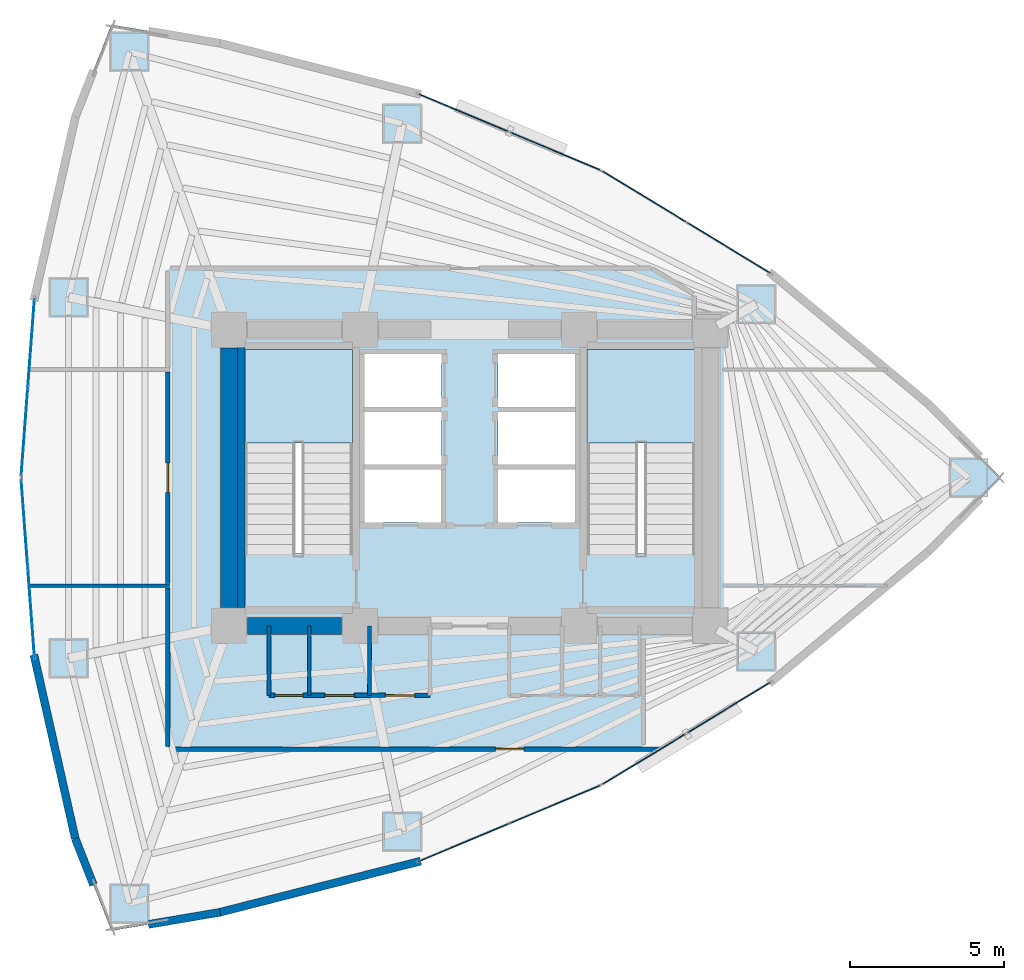
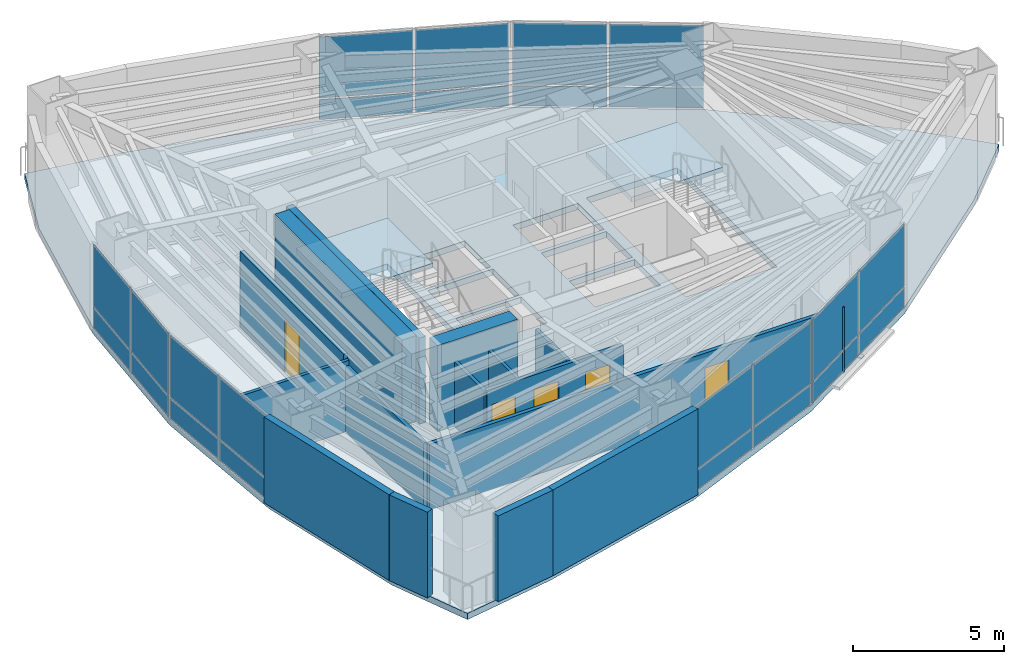
# One storey, part 14 of 18: 24 plates, 15 walls, 5 doors, 3 slabs, 5 openings, 8 elements without a shape of their own.
"""IFC4 building model written with IfcOpenShell, lengths in metres."""

from ifc_helpers import new_model, si_unit, direction, frame, frame_2d, origin, origin_2d, place, context, subcontext, project, spatial, polyline, rectangle, outline, extrude, material, layer, layer_set, type_object, element, fill, aggregate, save


model = new_model("IFC4")

# Units and contexts
model_context = context("Model", 3, precision=1e-05, world=origin(), true_north=direction((0.0, 1.0)))
body_context = subcontext(model_context, "Body", "Model", "MODEL_VIEW")
ifc_project = project(units=[si_unit("LENGTHUNIT", "METRE"), si_unit("AREAUNIT", "SQUARE_METRE"), si_unit("VOLUMEUNIT", "CUBIC_METRE"), si_unit("PLANEANGLEUNIT", "RADIAN"), si_unit("MASSUNIT", "GRAM", prefix="KILO")], contexts=[model_context])

# Site, building, storey
site_placement = place(None, origin())
site = spatial("IfcSite", under=ifc_project, at=site_placement, CompositionType="ELEMENT")
building_placement = place(site_placement, origin())
building = spatial("IfcBuilding", under=site, at=building_placement, Name="Menara Vayukalpa", CompositionType="ELEMENT")
storey_placement = place(building_placement, frame((0.0, 0.0, 89.10009765625)))
storey = spatial("IfcBuildingStorey", under=building, at=storey_placement, Name="L21", CompositionType="ELEMENT", Elevation=89.10009765625)

# Curtain wall, plates
ifc_material_1 = material(Name="Anodised Terracotta Aluminium Alloy 6063-T6", Category="masonry")
ifc_layer_1 = layer(ifc_material_1, 0.14990234375)
ifc_layer_set_1 = layer_set([ifc_layer_1], Name="Anodised Terracotta Aluminium Alloy 6063-T6")
curtain_wall_type = type_object("IfcCurtainWallType", Name="CW-CW3", PredefinedType="USERDEFINED", material=ifc_layer_set_1)
curtain_wall_1_placement = place(storey_placement, origin())
curtain_wall_1 = element("IfcCurtainWall", 1, at=curtain_wall_1_placement, inside=storey, type_object=curtain_wall_type, Name="L21 Mid Rise Terracotta Ribbon Curtain Wall CW3 04", ObjectType="UNITISED", PredefinedType="USERDEFINED")
ifc_material_2 = material(Name="Low-E Double Glazing", Category="glass")
ifc_layer_2 = layer(ifc_material_2, 0.030029296875)
ifc_layer_set_2 = layer_set([ifc_layer_2], Name="Low-E Double Glazing")
plate_type = type_object("IfcPlateType", Name="CWP-CW3", PredefinedType="CURTAIN_PANEL", material=ifc_layer_set_2)
plate_1_placement = place(storey_placement, frame((33.9921875, 29.44873046875, 0.06494140625), z_axis=(0.0, 0.0, 1.0), x_axis=(-0.854663123674, 0.519182959112, 0.0)))
plate_1 = element("IfcPlate", 2, at=plate_1_placement, type_object=plate_type, Name="CW3 panel 1.1", PredefinedType="CURTAIN_PANEL", context=body_context, shape_type="SweptSolid", body=[
    extrude(rectangle(XDim=3.1318359375, YDim=0.030029296875, at=origin_2d()), origin(), (0.0, 0.0, 1.0), 0.802490234375),
])
plate_2_placement = place(storey_placement, frame((33.9921875, 29.44873046875, 0.9326171875), z_axis=(0.0, 0.0, 1.0), x_axis=(-0.854663123674, 0.519182959112, 0.0)))
plate_2 = element("IfcPlate", 3, at=plate_2_placement, type_object=plate_type, Name="CW3 panel 1.2", PredefinedType="CURTAIN_PANEL", context=body_context, shape_type="SweptSolid", body=[
    extrude(rectangle(XDim=3.1318359375, YDim=0.030029296875, at=origin_2d()), origin(), (0.0, 0.0, 1.0), 2.472412109375),
])
plate_3_placement = place(storey_placement, frame((31.259765625, 31.1083984375, 0.06494140625), z_axis=(0.0, 0.0, 1.0), x_axis=(-0.854663123674, 0.519182959112, 0.0)))
plate_3 = element("IfcPlate", 4, at=plate_3_placement, type_object=plate_type, Name="CW3 panel 2.1", PredefinedType="CURTAIN_PANEL", context=body_context, shape_type="SweptSolid", body=[
    extrude(rectangle(XDim=3.1318359375, YDim=0.030029296875, at=origin_2d()), origin(), (0.0, 0.0, 1.0), 0.802490234375),
])
plate_4_placement = place(storey_placement, frame((31.259765625, 31.1083984375, 0.9326171875), z_axis=(0.0, 0.0, 1.0), x_axis=(-0.854663123674, 0.519182959112, 0.0)))
plate_4 = element("IfcPlate", 5, at=plate_4_placement, type_object=plate_type, Name="CW3 panel 2.2", PredefinedType="CURTAIN_PANEL", context=body_context, shape_type="SweptSolid", body=[
    extrude(rectangle(XDim=3.1318359375, YDim=0.030029296875, at=origin_2d()), origin(), (0.0, 0.0, 1.0), 2.472412109375),
])
aggregate(curtain_wall_1, [plate_1, plate_2, plate_3, plate_4])

curtain_wall_2_placement = place(storey_placement, origin())
curtain_wall_2 = element("IfcCurtainWall", 6, at=curtain_wall_2_placement, inside=storey, type_object=curtain_wall_type, Name="L21 Mid Rise Terracotta Ribbon Curtain Wall CW3 05", ObjectType="UNITISED", PredefinedType="USERDEFINED")
plate_5_placement = place(storey_placement, frame((28.361328125, 32.58447265625, 0.06494140625), z_axis=(0.0, 0.0, 1.0), x_axis=(-0.922543300632, 0.38589358437, 0.0)))
plate_5 = element("IfcPlate", 7, at=plate_5_placement, type_object=plate_type, Name="CW3 panel 1.1", PredefinedType="CURTAIN_PANEL", context=body_context, shape_type="SweptSolid", body=[
    extrude(rectangle(XDim=3.1318359375, YDim=0.030029296875, at=origin_2d()), origin(), (0.0, 0.0, 1.0), 0.802490234375),
])
plate_6_placement = place(storey_placement, frame((28.361328125, 32.58447265625, 0.9326171875), z_axis=(0.0, 0.0, 1.0), x_axis=(-0.922543300632, 0.38589358437, 0.0)))
plate_6 = element("IfcPlate", 8, at=plate_6_placement, type_object=plate_type, Name="CW3 panel 1.2", PredefinedType="CURTAIN_PANEL", context=body_context, shape_type="SweptSolid", body=[
    extrude(rectangle(XDim=3.1318359375, YDim=0.030029296875, at=origin_2d()), origin(), (0.0, 0.0, 1.0), 2.472412109375),
])
plate_7_placement = place(storey_placement, frame((25.412109375, 33.818115234375, 0.06494140625), z_axis=(0.0, 0.0, 1.0), x_axis=(-0.922543300632, 0.38589358437, 0.0)))
plate_7 = element("IfcPlate", 9, at=plate_7_placement, type_object=plate_type, Name="CW3 panel 2.1", PredefinedType="CURTAIN_PANEL", context=body_context, shape_type="SweptSolid", body=[
    extrude(rectangle(XDim=3.1318359375, YDim=0.030029296875, at=origin_2d()), origin(), (0.0, 0.0, 1.0), 0.802490234375),
])
plate_8_placement = place(storey_placement, frame((25.412109375, 33.818115234375, 0.9326171875), z_axis=(0.0, 0.0, 1.0), x_axis=(-0.922543300632, 0.38589358437, 0.0)))
plate_8 = element("IfcPlate", 10, at=plate_8_placement, type_object=plate_type, Name="CW3 panel 2.2", PredefinedType="CURTAIN_PANEL", context=body_context, shape_type="SweptSolid", body=[
    extrude(rectangle(XDim=3.1318359375, YDim=0.030029296875, at=origin_2d()), origin(), (0.0, 0.0, 1.0), 2.472412109375),
])
aggregate(curtain_wall_2, [plate_5, plate_6, plate_7, plate_8])

curtain_wall_3_placement = place(storey_placement, origin())
curtain_wall_3 = element("IfcCurtainWall", 11, at=curtain_wall_3_placement, inside=storey, type_object=curtain_wall_type, Name="L21 Mid Rise Terracotta Ribbon Curtain Wall CW3 10", ObjectType="UNITISED", PredefinedType="USERDEFINED")
plate_9_placement = place(storey_placement, frame((11.395751953125, 26.3681640625, 0.06494140625), z_axis=(0.0, 0.0, 1.0), x_axis=(-0.07478528334, -0.997199659745, 0.0)))
plate_9 = element("IfcPlate", 12, at=plate_9_placement, type_object=plate_type, Name="CW3 panel 1.1", PredefinedType="CURTAIN_PANEL", context=body_context, shape_type="SweptSolid", body=[
    extrude(rectangle(XDim=2.83349609375, YDim=0.030029296875, at=origin_2d()), origin(), (0.0, 0.0, 1.0), 0.802490234375),
])
plate_10_placement = place(storey_placement, frame((11.395751953125, 26.3681640625, 0.9326171875), z_axis=(0.0, 0.0, 1.0), x_axis=(-0.07478528334, -0.997199659745, 0.0)))
plate_10 = element("IfcPlate", 13, at=plate_10_placement, type_object=plate_type, Name="CW3 panel 1.2", PredefinedType="CURTAIN_PANEL", context=body_context, shape_type="SweptSolid", body=[
    extrude(rectangle(XDim=2.83349609375, YDim=0.030029296875, at=origin_2d()), origin(), (0.0, 0.0, 1.0), 2.472412109375),
])
plate_11_placement = place(storey_placement, frame((11.178955078125, 23.4775390625, 0.06494140625), z_axis=(0.0, 0.0, 1.0), x_axis=(-0.07478528334, -0.997199659745, 0.0)))
plate_11 = element("IfcPlate", 14, at=plate_11_placement, type_object=plate_type, Name="CW3 panel 2.1", PredefinedType="CURTAIN_PANEL", context=body_context, shape_type="SweptSolid", body=[
    extrude(rectangle(XDim=2.83349609375, YDim=0.030029296875, at=origin_2d()), origin(), (0.0, 0.0, 1.0), 0.802490234375),
])
plate_12_placement = place(storey_placement, frame((11.178955078125, 23.4775390625, 0.9326171875), z_axis=(0.0, 0.0, 1.0), x_axis=(-0.07478528334, -0.997199659745, 0.0)))
plate_12 = element("IfcPlate", 15, at=plate_12_placement, type_object=plate_type, Name="CW3 panel 2.2", PredefinedType="CURTAIN_PANEL", context=body_context, shape_type="SweptSolid", body=[
    extrude(rectangle(XDim=2.83349609375, YDim=0.030029296875, at=origin_2d()), origin(), (0.0, 0.0, 1.0), 2.472412109375),
])
aggregate(curtain_wall_3, [plate_9, plate_10, plate_11, plate_12])

curtain_wall_4_placement = place(storey_placement, origin())
curtain_wall_4 = element("IfcCurtainWall", 16, at=curtain_wall_4_placement, inside=storey, type_object=curtain_wall_type, Name="L21 Mid Rise Terracotta Ribbon Curtain Wall CW3 11", ObjectType="UNITISED", PredefinedType="USERDEFINED")
plate_13_placement = place(storey_placement, frame((11.178955078125, 20.5224609375, 0.06494140625), z_axis=(0.0, 0.0, 1.0), x_axis=(0.07478528334, -0.997199659745, 0.0)))
plate_13 = element("IfcPlate", 17, at=plate_13_placement, type_object=plate_type, Name="CW3 panel 1.1", PredefinedType="CURTAIN_PANEL", context=body_context, shape_type="SweptSolid", body=[
    extrude(rectangle(XDim=2.83349609375, YDim=0.030029296875, at=origin_2d()), origin(), (0.0, 0.0, 1.0), 0.802490234375),
])
plate_14_placement = place(storey_placement, frame((11.178955078125, 20.5224609375, 0.9326171875), z_axis=(0.0, 0.0, 1.0), x_axis=(0.07478528334, -0.997199659745, 0.0)))
plate_14 = element("IfcPlate", 18, at=plate_14_placement, type_object=plate_type, Name="CW3 panel 1.2", PredefinedType="CURTAIN_PANEL", context=body_context, shape_type="SweptSolid", body=[
    extrude(rectangle(XDim=2.83349609375, YDim=0.030029296875, at=origin_2d()), origin(), (0.0, 0.0, 1.0), 2.472412109375),
])
plate_15_placement = place(storey_placement, frame((11.395751953125, 17.6318359375, 0.06494140625), z_axis=(0.0, 0.0, 1.0), x_axis=(0.07478528334, -0.997199659745, 0.0)))
plate_15 = element("IfcPlate", 19, at=plate_15_placement, type_object=plate_type, Name="CW3 panel 2.1", PredefinedType="CURTAIN_PANEL", context=body_context, shape_type="SweptSolid", body=[
    extrude(rectangle(XDim=2.83349609375, YDim=0.030029296875, at=origin_2d()), origin(), (0.0, 0.0, 1.0), 0.802490234375),
])
plate_16_placement = place(storey_placement, frame((11.395751953125, 17.6318359375, 0.9326171875), z_axis=(0.0, 0.0, 1.0), x_axis=(0.07478528334, -0.997199659745, 0.0)))
plate_16 = element("IfcPlate", 20, at=plate_16_placement, type_object=plate_type, Name="CW3 panel 2.2", PredefinedType="CURTAIN_PANEL", context=body_context, shape_type="SweptSolid", body=[
    extrude(rectangle(XDim=2.83349609375, YDim=0.030029296875, at=origin_2d()), origin(), (0.0, 0.0, 1.0), 2.472412109375),
])
aggregate(curtain_wall_4, [plate_13, plate_14, plate_15, plate_16])

curtain_wall_5_placement = place(storey_placement, origin())
curtain_wall_5 = element("IfcCurtainWall", 21, at=curtain_wall_5_placement, inside=storey, type_object=curtain_wall_type, Name="L21 Mid Rise Terracotta Ribbon Curtain Wall CW3 16", ObjectType="UNITISED", PredefinedType="USERDEFINED")
plate_17_placement = place(storey_placement, frame((25.412109375, 10.181884765625, 0.06494140625), z_axis=(0.0, 0.0, 1.0), x_axis=(0.922543300632, 0.38589358437, 0.0)))
plate_17 = element("IfcPlate", 22, at=plate_17_placement, type_object=plate_type, Name="CW3 panel 1.1", PredefinedType="CURTAIN_PANEL", context=body_context, shape_type="SweptSolid", body=[
    extrude(rectangle(XDim=3.1318359375, YDim=0.030029296875, at=origin_2d()), origin(), (0.0, 0.0, 1.0), 0.802490234375),
])
plate_18_placement = place(storey_placement, frame((25.412109375, 10.181884765625, 0.9326171875), z_axis=(0.0, 0.0, 1.0), x_axis=(0.922543300632, 0.38589358437, 0.0)))
plate_18 = element("IfcPlate", 23, at=plate_18_placement, type_object=plate_type, Name="CW3 panel 1.2", PredefinedType="CURTAIN_PANEL", context=body_context, shape_type="SweptSolid", body=[
    extrude(rectangle(XDim=3.1318359375, YDim=0.030029296875, at=origin_2d()), origin(), (0.0, 0.0, 1.0), 2.472412109375),
])
plate_19_placement = place(storey_placement, frame((28.361328125, 11.41552734375, 0.06494140625), z_axis=(0.0, 0.0, 1.0), x_axis=(0.922543300632, 0.38589358437, 0.0)))
plate_19 = element("IfcPlate", 24, at=plate_19_placement, type_object=plate_type, Name="CW3 panel 2.1", PredefinedType="CURTAIN_PANEL", context=body_context, shape_type="SweptSolid", body=[
    extrude(rectangle(XDim=3.1318359375, YDim=0.030029296875, at=origin_2d()), origin(), (0.0, 0.0, 1.0), 0.802490234375),
])
plate_20_placement = place(storey_placement, frame((28.361328125, 11.41552734375, 0.9326171875), z_axis=(0.0, 0.0, 1.0), x_axis=(0.922543300632, 0.38589358437, 0.0)))
plate_20 = element("IfcPlate", 25, at=plate_20_placement, type_object=plate_type, Name="CW3 panel 2.2", PredefinedType="CURTAIN_PANEL", context=body_context, shape_type="SweptSolid", body=[
    extrude(rectangle(XDim=3.1318359375, YDim=0.030029296875, at=origin_2d()), origin(), (0.0, 0.0, 1.0), 2.472412109375),
])
aggregate(curtain_wall_5, [plate_17, plate_18, plate_19, plate_20])

curtain_wall_6_placement = place(storey_placement, origin())
curtain_wall_6 = element("IfcCurtainWall", 26, at=curtain_wall_6_placement, inside=storey, type_object=curtain_wall_type, Name="L21 Mid Rise Terracotta Ribbon Curtain Wall CW3 17", ObjectType="UNITISED", PredefinedType="USERDEFINED")
plate_21_placement = place(storey_placement, frame((31.259765625, 12.8916015625, 0.06494140625), z_axis=(0.0, 0.0, 1.0), x_axis=(0.854663123674, 0.519182959112, 0.0)))
plate_21 = element("IfcPlate", 27, at=plate_21_placement, type_object=plate_type, Name="CW3 panel 1.1", PredefinedType="CURTAIN_PANEL", context=body_context, shape_type="SweptSolid", body=[
    extrude(rectangle(XDim=3.1318359375, YDim=0.030029296875, at=origin_2d()), origin(), (0.0, 0.0, 1.0), 0.802490234375),
])
plate_22_placement = place(storey_placement, frame((31.259765625, 12.8916015625, 0.9326171875), z_axis=(0.0, 0.0, 1.0), x_axis=(0.854663123674, 0.519182959112, 0.0)))
plate_22 = element("IfcPlate", 28, at=plate_22_placement, type_object=plate_type, Name="CW3 panel 1.2", PredefinedType="CURTAIN_PANEL", context=body_context, shape_type="SweptSolid", body=[
    extrude(rectangle(XDim=3.1318359375, YDim=0.030029296875, at=origin_2d()), origin(), (0.0, 0.0, 1.0), 2.472412109375),
])
plate_23_placement = place(storey_placement, frame((33.9921875, 14.55126953125, 0.06494140625), z_axis=(0.0, 0.0, 1.0), x_axis=(0.854663123674, 0.519182959112, 0.0)))
plate_23 = element("IfcPlate", 29, at=plate_23_placement, type_object=plate_type, Name="CW3 panel 2.1", PredefinedType="CURTAIN_PANEL", context=body_context, shape_type="SweptSolid", body=[
    extrude(rectangle(XDim=3.1318359375, YDim=0.030029296875, at=origin_2d()), origin(), (0.0, 0.0, 1.0), 0.802490234375),
])
plate_24_placement = place(storey_placement, frame((33.9921875, 14.55126953125, 0.9326171875), z_axis=(0.0, 0.0, 1.0), x_axis=(0.854663123674, 0.519182959112, 0.0)))
plate_24 = element("IfcPlate", 30, at=plate_24_placement, type_object=plate_type, Name="CW3 panel 2.2", PredefinedType="CURTAIN_PANEL", context=body_context, shape_type="SweptSolid", body=[
    extrude(rectangle(XDim=3.1318359375, YDim=0.030029296875, at=origin_2d()), origin(), (0.0, 0.0, 1.0), 2.472412109375),
])
aggregate(curtain_wall_6, [plate_21, plate_22, plate_23, plate_24])

# Slab
ifc_material_3 = material(Name="Concrete C40/50", Category="concrete")
ifc_layer_3 = layer(ifc_material_3, 0.25)
ifc_layer_set_3 = layer_set([ifc_layer_3], Name="Concrete C40/50")
slab_type_1 = type_object("IfcSlabType", Name="SLB-FL250", PredefinedType="FLOOR", material=ifc_layer_set_3)
slab_1_placement = place(storey_placement, frame((0.0, 0.0, -0.25)))
element("IfcSlab", 31, at=slab_1_placement, inside=storey, type_object=slab_type_1, Name="L21 Structural Floor Slab", PredefinedType="FLOOR", context=body_context, shape_type="SweptSolid", body=[
    extrude(outline(polyline([(40.4677734375, 19.6123046875), (42.81201171875, 22.0), (40.4677734375, 24.3876953125), (35.385986328125, 28.601806640625), (29.865966796875, 31.955078125), (23.907470703125, 34.447509765625), (17.510498046875, 36.0791015625), (13.993896484375, 36.676025390625), (12.822021484375, 33.69140625), (11.506591796875, 27.845703125), (11.068115234375, 22.0), (11.506591796875, 16.154296875), (12.822021484375, 10.30859375), (13.993896484375, 7.323974609375), (17.510498046875, 7.9208984375), (23.907470703125, 9.552490234375), (29.865966796875, 12.044921875), (35.385986328125, 15.398193359375), (40.4677734375, 19.6123046875)]), holes=[polyline([(21.800048828125, 19.550048828125), (21.800048828125, 26.14990234375), (18.300048828125, 26.14990234375), (18.300048828125, 19.550048828125), (21.800048828125, 19.550048828125)]), polyline([(32.89990234375, 19.550048828125), (32.89990234375, 26.14990234375), (29.39990234375, 26.14990234375), (29.39990234375, 19.550048828125), (32.89990234375, 19.550048828125)]), polyline([(22.179931640625, 20.550048828125), (24.679931640625, 20.550048828125), (24.679931640625, 22.27001953125), (22.179931640625, 22.27001953125), (22.179931640625, 20.550048828125)]), polyline([(26.52001953125, 20.550048828125), (29.02001953125, 20.550048828125), (29.02001953125, 22.27001953125), (26.52001953125, 22.27001953125), (26.52001953125, 20.550048828125)]), polyline([(22.179931640625, 22.419921875), (24.679931640625, 22.419921875), (24.679931640625, 24.139892578125), (22.179931640625, 24.139892578125), (22.179931640625, 22.419921875)]), polyline([(22.179931640625, 24.2900390625), (24.679931640625, 24.2900390625), (24.679931640625, 26.010009765625), (22.179931640625, 26.010009765625), (22.179931640625, 24.2900390625)]), polyline([(26.52001953125, 24.2900390625), (29.02001953125, 24.2900390625), (29.02001953125, 26.010009765625), (26.52001953125, 26.010009765625), (26.52001953125, 24.2900390625)]), polyline([(26.52001953125, 22.419921875), (29.02001953125, 22.419921875), (29.02001953125, 24.139892578125), (26.52001953125, 24.139892578125), (26.52001953125, 22.419921875)])]), origin(), (0.0, 0.0, 1.0), 0.25),
])

# Stair, slab
ifc_material_4 = material(Name="Precast Concrete C40/50", Category="concrete")
stair_type = type_object("IfcStairType", Name="STR-T04", PredefinedType="DOUBLE_RETURN_STAIR", material=ifc_material_4)
stair_1_placement = place(storey_placement, origin())
stair_1 = element("IfcStair", 32, at=stair_1_placement, inside=storey, type_object=stair_type, Name="L21 Core Exit Stair ST-1", PredefinedType="DOUBLE_RETURN_STAIR")
ifc_material_5 = material(Name="Precast Concrete C40/50", Category="concrete")
ifc_layer_4 = layer(ifc_material_5, 0.199951171875)
ifc_layer_set_4 = layer_set([ifc_layer_4], Name="Precast Concrete C40/50")
slab_type_2 = type_object("IfcSlabType", Name="SLB-LND200", PredefinedType="LANDING", material=ifc_layer_set_4)
slab_2_placement = place(storey_placement, frame((0.0, 0.0, 1.659912109375)))
slab_2 = element("IfcSlab", 33, at=slab_2_placement, type_object=slab_type_2, Name="ST-1 landing 1", PredefinedType="LANDING", context=body_context, shape_type="SweptSolid", body=[
    extrude(outline(polyline([(21.800048828125, 23.1298828125), (21.800048828125, 26.14990234375), (18.300048828125, 26.14990234375), (18.300048828125, 23.1298828125), (21.800048828125, 23.1298828125)])), origin(), (0.0, 0.0, 1.0), 0.199951171875),
])
aggregate(stair_1, [slab_2])

stair_2_placement = place(storey_placement, origin())
stair_2 = element("IfcStair", 34, at=stair_2_placement, inside=storey, type_object=stair_type, Name="L21 Core Exit Stair ST-2", PredefinedType="DOUBLE_RETURN_STAIR")
slab_3_placement = place(storey_placement, frame((0.0, 0.0, 1.659912109375)))
slab_3 = element("IfcSlab", 35, at=slab_3_placement, type_object=slab_type_2, Name="ST-2 landing 1", PredefinedType="LANDING", context=body_context, shape_type="SweptSolid", body=[
    extrude(outline(polyline([(32.89990234375, 23.1298828125), (32.89990234375, 26.14990234375), (29.39990234375, 26.14990234375), (29.39990234375, 23.1298828125), (32.89990234375, 23.1298828125)])), origin(), (0.0, 0.0, 1.0), 0.199951171875),
])
aggregate(stair_2, [slab_3])

# Walls
ifc_material_6 = material(Name="Concrete C60/75", Category="concrete")
ifc_layer_5 = layer(ifc_material_6, 0.550048828125)
ifc_layer_set_5 = layer_set([ifc_layer_5], Name="Concrete C60/75")
wall_type_1 = type_object("IfcWallType", Name="WAL-CW550", PredefinedType="SHEAR", material=ifc_layer_set_5)
wall_1_placement = place(storey_placement, frame((18.39501953125, 17.199951171875, 0.0), z_axis=(0.0, 0.0, 1.0), x_axis=(1.0, 0.0, 0.0)))
element("IfcWall", 36, at=wall_1_placement, inside=storey, type_object=wall_type_1, Name="L21 Buttressed Core Shear Wall CWS1", PredefinedType="SHEAR", context=body_context, shape_type="SweptSolid", body=[
    extrude(rectangle(XDim=3.06005859375, YDim=0.550048828125, at=frame_2d((1.530029296875, 0.0))), origin(), (0.0, 0.0, 1.0), 3.469970703125),
])
wall_2_placement = place(storey_placement, frame((17.800048828125, 17.794921875, 0.0), z_axis=(0.0, 0.0, 1.0), x_axis=(0.0, 1.0, 0.0)))
element("IfcWall", 37, at=wall_2_placement, inside=storey, type_object=wall_type_1, Name="L21 Buttressed Core Shear Wall CWW1", PredefinedType="SHEAR", context=body_context, shape_type="SweptSolid", body=[
    extrude(rectangle(XDim=8.41015625, YDim=0.550048828125, at=frame_2d((4.205078125, 0.0))), origin(), (0.0, 0.0, 1.0), 3.469970703125),
])
ifc_material_7 = material(Name="Insulated Precast Concrete C40/50", Category="concrete")
ifc_layer_6 = layer(ifc_material_7, 0.260009765625)
ifc_layer_set_6 = layer_set([ifc_layer_6], Name="Insulated Precast Concrete C40/50")
wall_type_2 = type_object("IfcWallType", Name="WAL-EXT260", PredefinedType="PARTITIONING", material=ifc_layer_set_6)
wall_3_placement = place(storey_placement, frame((12.822021484375, 10.30859375, 0.0), z_axis=(0.0, 0.0, 1.0), x_axis=(-0.219535044336, 0.975604614743, 0.0)))
element("IfcWall", 38, at=wall_3_placement, inside=storey, type_object=wall_type_2, Name="L21 Perimeter Terracotta Pier Wall 12", PredefinedType="PARTITIONING", context=body_context, shape_type="SweptSolid", body=[
    extrude(rectangle(XDim=6.10205078125, YDim=0.260009765625, at=frame_2d((3.051025390625, 0.0))), origin(), (0.0, 0.0, 1.0), 3.469970703125),
])
wall_4_placement = place(storey_placement, frame((13.411865234375, 8.806396484375, 0.0), z_axis=(0.0, 0.0, 1.0), x_axis=(-0.365488551504, 0.930815835018, 0.0)))
element("IfcWall", 39, at=wall_4_placement, inside=storey, type_object=wall_type_2, Name="L21 Perimeter Terracotta Pier Wall 13", PredefinedType="PARTITIONING", context=body_context, shape_type="SweptSolid", body=[
    extrude(rectangle(XDim=1.61376953125, YDim=0.260009765625, at=frame_2d((0.806884765625, 0.0))), origin(), (0.0, 0.0, 1.0), 3.469970703125),
])
wall_5_placement = place(storey_placement, frame((17.516357421875, 7.921875, 0.0), z_axis=(0.0, 0.0, 1.0), x_axis=(-0.985905269947, -0.167304508875, 0.0)))
element("IfcWall", 40, at=wall_5_placement, inside=storey, type_object=wall_type_2, Name="L21 Perimeter Terracotta Pier Wall 14", PredefinedType="PARTITIONING", context=body_context, shape_type="SweptSolid", body=[
    extrude(rectangle(XDim=2.356689453125, YDim=0.260009765625, at=frame_2d((1.17822265625, 0.0))), origin(), (0.0, 0.0, 1.0), 3.469970703125),
])
wall_6_placement = place(storey_placement, frame((24.013916015625, 9.57958984375, 0.0), z_axis=(0.0, 0.0, 1.0), x_axis=(-0.968981437296, -0.247133514876, 0.0)))
element("IfcWall", 41, at=wall_6_placement, inside=storey, type_object=wall_type_2, Name="L21 Perimeter Terracotta Pier Wall 15", PredefinedType="PARTITIONING", context=body_context, shape_type="SweptSolid", body=[
    extrude(rectangle(XDim=6.717529296875, YDim=0.260009765625, at=frame_2d((3.35888671875, 0.0))), origin(), (0.0, 0.0, 1.0), 3.469970703125),
])
ifc_material_8 = material(Name="Acoustic Mineral Stud Partition", Category="masonry")
ifc_layer_7 = layer(ifc_material_8, 0.110107421875)
ifc_layer_set_7 = layer_set([ifc_layer_7], Name="Acoustic Mineral Stud Partition")
wall_type_3 = type_object("IfcWallType", Name="WAL-PT110", PredefinedType="PARTITIONING", material=ifc_layer_set_7)
wall_7_placement = place(storey_placement, frame((20.39990234375, 14.949951171875, 0.0), z_axis=(0.0, 0.0, 1.0), x_axis=(0.0, 1.0, 0.0)))
element("IfcWall", 42, at=wall_7_placement, inside=storey, type_object=wall_type_3, Name="L21 Interior Partition IW-L21-SVCD-02", PredefinedType="PARTITIONING", context=body_context, shape_type="SweptSolid", body=[
    extrude(rectangle(XDim=2.25, YDim=0.110107421875, at=frame_2d((1.125, 0.0))), origin(), (0.0, 0.0, 1.0), 2.599853515625),
])
ifc_material_9 = material(Name="Gypsum Drywall Steel Stud Assembly", Category="steel")
ifc_layer_8 = layer(ifc_material_9, 0.125)
ifc_layer_set_8 = layer_set([ifc_layer_8], Name="Gypsum Drywall Steel Stud Assembly")
wall_type_4 = type_object("IfcWallType", Name="WAL-PT125", PredefinedType="PARTITIONING", material=ifc_layer_set_8)
for number, where, z_axis, x_axis, name in (
    (43, (19.10009765625, 14.949951171875, 0.0), (0.0, 0.0, 1.0), (0.0, 1.0, 0.0), "L21 Interior Partition IW-L21-SVCD-01"),
    (44, (22.360107421875, 14.949951171875, 0.0), (0.0, 0.0, 1.0), (0.0, 1.0, 0.0), "L21 Interior Partition IW-L21-SVCD-03"),
):
    element("IfcWall", number, at=place(storey_placement, frame(where, z_axis=z_axis, x_axis=x_axis)), inside=storey, type_object=wall_type_4, Name=name, PredefinedType="PARTITIONING", context=body_context, shape_type="SweptSolid", body=[
        extrude(rectangle(XDim=2.25, YDim=0.125, at=frame_2d((1.125, 0.0))), origin(), (0.0, 0.0, 1.0), 2.599853515625),
    ])
wall_8_placement = place(storey_placement, frame((11.32080078125, 18.5, 0.0), z_axis=(0.0, 0.0, 1.0), x_axis=(1.0, 0.0, 0.0)))
element("IfcWall", 45, at=wall_8_placement, inside=storey, type_object=wall_type_4, Name="L21 Interior Partition IW-L21-RDIV01", PredefinedType="PARTITIONING", context=body_context, shape_type="SweptSolid", body=[
    extrude(rectangle(XDim=4.54931640625, YDim=0.125, at=frame_2d((2.274658203125, 0.0))), origin(), (0.0, 0.0, 1.0), 2.849853515625),
])

# Wall, openings, doors
ifc_material_10 = material(Name="Gypsum Drywall Acoustic Stud Assembly", Category="masonry")
ifc_layer_9 = layer(ifc_material_10, 0.14501953125)
ifc_layer_set_9 = layer_set([ifc_layer_9], Name="Gypsum Drywall Acoustic Stud Assembly")
wall_type_5 = type_object("IfcWallType", Name="WAL-PT150", PredefinedType="PARTITIONING", material=ifc_layer_set_9)
wall_9_placement = place(storey_placement, frame((19.10009765625, 14.949951171875, 0.0), z_axis=(0.0, 0.0, 1.0), x_axis=(1.0, 0.0, 0.0)))
wall_9 = element("IfcWall", 46, at=wall_9_placement, inside=storey, type_object=wall_type_5, Name="L21 Interior Partition IW-L21-SVCS-W", PredefinedType="PARTITIONING", context=body_context, shape_type="SweptSolid", body=[
    extrude(rectangle(XDim=5.219970703125, YDim=0.14501953125, at=frame_2d((2.60986328125, 0.0))), origin(), (0.0, 0.0, 1.0), 2.64990234375),
])
opening_1_placement = place(wall_9_placement, frame((0.199951171875, 0.0, 0.0)))
opening_1 = element("IfcOpeningElement", 47, at=opening_1_placement, cuts=wall_9, Name="Opening ID7", PredefinedType="OPENING", context=body_context, shape_type="SweptSolid", body=[
    extrude(rectangle(XDim=0.89990234375, YDim=2.02001953125, at=frame_2d((0.449951171875, 1.010009765625))), frame((0.0, 0.08251953125, 0.0), z_axis=(0.0, -1.0, 0.0), x_axis=(1.0, 0.0, 0.0)), (0.0, 0.0, 1.0), 0.1650390625),
])
opening_2_placement = place(wall_9_placement, frame((1.804931640625, 0.0, 0.0)))
opening_2 = element("IfcOpeningElement", 48, at=opening_2_placement, cuts=wall_9, Name="Opening ID5", PredefinedType="OPENING", context=body_context, shape_type="SweptSolid", body=[
    extrude(rectangle(XDim=0.949951171875, YDim=2.06005859375, at=frame_2d((0.47509765625, 1.030029296875))), frame((0.0, 0.08251953125, 0.0), z_axis=(0.0, -1.0, 0.0), x_axis=(1.0, 0.0, 0.0)), (0.0, 0.0, 1.0), 0.1650390625),
])
opening_3_placement = place(wall_9_placement, frame((3.764892578125, 0.0, 0.0)))
opening_3 = element("IfcOpeningElement", 49, at=opening_3_placement, cuts=wall_9, Name="Opening ID5", PredefinedType="OPENING", context=body_context, shape_type="SweptSolid", body=[
    extrude(rectangle(XDim=0.949951171875, YDim=2.06005859375, at=frame_2d((0.47509765625, 1.030029296875))), frame((0.0, 0.08251953125, 0.0), z_axis=(0.0, -1.0, 0.0), x_axis=(1.0, 0.0, 0.0)), (0.0, 0.0, 1.0), 0.1650390625),
])
ifc_material_11 = material(Name="Acoustic Hardwood Veneer Timber Door", Category="wood")
door_type_1 = type_object("IfcDoorType", Name="DR-INT95", OperationType="NOTDEFINED", PredefinedType="DOOR", material=ifc_material_11)
door_1_placement = place(opening_2_placement, origin())
door_1 = element("IfcDoor", 50, at=door_1_placement, inside=storey, type_object=door_type_1, Name="L21 Interior Door DR-L21-AWC", OperationType="SINGLE_SWING_LEFT", OverallHeight=2.06005859375, OverallWidth=0.949951171875, PredefinedType="DOOR", context=body_context, shape_type="SweptSolid", body=[
    extrude(rectangle(XDim=0.949951171875, YDim=2.06005859375, at=frame_2d((0.47509765625, 1.030029296875))), frame((0.0, 0.02490234375, 0.0), z_axis=(0.0, -1.0, 0.0), x_axis=(1.0, 0.0, 0.0)), (0.0, 0.0, 1.0), 0.050048828125),
])
fill(opening_2, door_1)
door_2_placement = place(opening_3_placement, origin())
door_2 = element("IfcDoor", 51, at=door_2_placement, inside=storey, type_object=door_type_1, Name="L21 Interior Door DR-L21-SWC", OperationType="SINGLE_SWING_RIGHT", OverallHeight=2.06005859375, OverallWidth=0.949951171875, PredefinedType="DOOR", context=body_context, shape_type="SweptSolid", body=[
    extrude(rectangle(XDim=0.949951171875, YDim=2.06005859375, at=frame_2d((0.47509765625, 1.030029296875))), frame((0.0, 0.02490234375, 0.0), z_axis=(0.0, -1.0, 0.0), x_axis=(1.0, 0.0, 0.0)), (0.0, 0.0, 1.0), 0.050048828125),
])
fill(opening_3, door_2)
ifc_material_12 = material(Name="Powder-Coated Steel Riser Access Door", Category="steel")
door_type_2 = type_object("IfcDoorType", Name="DR-RISER", OperationType="NOTDEFINED", PredefinedType="DOOR", material=ifc_material_12)
door_3_placement = place(opening_1_placement, origin())
door_3 = element("IfcDoor", 52, at=door_3_placement, inside=storey, type_object=door_type_2, Name="L21 Interior Door DR-L21-ELR", OperationType="SINGLE_SWING_RIGHT", OverallHeight=2.02001953125, OverallWidth=0.89990234375, PredefinedType="DOOR", context=body_context, shape_type="SweptSolid", body=[
    extrude(rectangle(XDim=0.89990234375, YDim=2.02001953125, at=frame_2d((0.449951171875, 1.010009765625))), frame((0.0, 0.02490234375, 0.0), z_axis=(0.0, -1.0, 0.0), x_axis=(1.0, 0.0, 0.0)), (0.0, 0.0, 1.0), 0.050048828125),
])
fill(opening_1, door_3)

# Wall
wall_10_placement = place(storey_placement, frame((15.820068359375, 18.429931640625, 0.0), z_axis=(0.0, 0.0, 1.0), x_axis=(0.0, -1.0, 0.0)))
element("IfcWall", 53, at=wall_10_placement, inside=storey, type_object=wall_type_5, Name="L21 Interior Partition IW-L21-CRM02-1", PredefinedType="PARTITIONING", context=body_context, shape_type="SweptSolid", body=[
    extrude(rectangle(XDim=5.139892578125, YDim=0.14501953125, at=frame_2d((2.56982421875, 0.0))), origin(), (0.0, 0.0, 1.0), 2.64990234375),
])

# Wall, opening, door
wall_11_placement = place(storey_placement, frame((15.89990234375, 13.2099609375, 0.0), z_axis=(0.0, 0.0, 1.0), x_axis=(1.0, 0.0, 0.0)))
wall_11 = element("IfcWall", 54, at=wall_11_placement, inside=storey, type_object=wall_type_5, Name="L21 Interior Partition IW-L21-CRM02-2", PredefinedType="PARTITIONING", context=body_context, shape_type="SweptSolid", body=[
    extrude(rectangle(XDim=15.884033203125, YDim=0.14501953125, at=frame_2d((7.94189453125, 0.0))), origin(), (0.0, 0.0, 1.0), 2.64990234375),
])
opening_4_placement = place(wall_11_placement, frame((10.53173828125, 0.0, 0.0)))
opening_4 = element("IfcOpeningElement", 55, at=opening_4_placement, cuts=wall_11, Name="Opening ID6", PredefinedType="OPENING", context=body_context, shape_type="SweptSolid", body=[
    extrude(rectangle(XDim=0.919921875, YDim=2.050048828125, at=frame_2d((0.4599609375, 1.02490234375))), frame((0.0, 0.08251953125, 0.0), z_axis=(0.0, -1.0, 0.0), x_axis=(1.0, 0.0, 0.0)), (0.0, 0.0, 1.0), 0.1650390625),
])
ifc_material_13 = material(Name="Acoustic Hardwood Veneer Timber Door", Category="wood")
door_type_3 = type_object("IfcDoorType", Name="DR-INT92", OperationType="NOTDEFINED", PredefinedType="DOOR", material=ifc_material_13)
door_4_placement = place(opening_4_placement, origin())
door_4 = element("IfcDoor", 56, at=door_4_placement, inside=storey, type_object=door_type_3, Name="L21 Interior Door DR-L21-RM02", OperationType="SINGLE_SWING_RIGHT", OverallHeight=2.050048828125, OverallWidth=0.919921875, PredefinedType="DOOR", context=body_context, shape_type="SweptSolid", body=[
    extrude(rectangle(XDim=0.919921875, YDim=2.050048828125, at=frame_2d((0.4599609375, 1.02490234375))), frame((0.0, 0.02490234375, 0.0), z_axis=(0.0, -1.0, 0.0), x_axis=(1.0, 0.0, 0.0)), (0.0, 0.0, 1.0), 0.050048828125),
])
fill(opening_4, door_4)

wall_12_placement = place(storey_placement, frame((15.820068359375, 25.429931640625, 0.0), z_axis=(0.0, 0.0, 1.0), x_axis=(0.0, -1.0, 0.0)))
wall_12 = element("IfcWall", 57, at=wall_12_placement, inside=storey, type_object=wall_type_5, Name="L21 Interior Partition IW-L21-CRM05-1", PredefinedType="PARTITIONING", context=body_context, shape_type="SweptSolid", body=[
    extrude(rectangle(XDim=6.85986328125, YDim=0.14501953125, at=frame_2d((3.429931640625, 0.0))), origin(), (0.0, 0.0, 1.0), 3.0498046875),
])
opening_5_placement = place(wall_12_placement, frame((2.955078125, 0.0, 0.0)))
opening_5 = element("IfcOpeningElement", 58, at=opening_5_placement, cuts=wall_12, Name="Opening ID5", PredefinedType="OPENING", context=body_context, shape_type="SweptSolid", body=[
    extrude(rectangle(XDim=0.949951171875, YDim=2.06005859375, at=frame_2d((0.47509765625, 1.030029296875))), frame((0.0, 0.08251953125, 0.0), z_axis=(0.0, -1.0, 0.0), x_axis=(1.0, 0.0, 0.0)), (0.0, 0.0, 1.0), 0.1650390625),
])
door_5_placement = place(opening_5_placement, origin())
door_5 = element("IfcDoor", 59, at=door_5_placement, inside=storey, type_object=door_type_1, Name="L21 Interior Door DR-L21-RM05", OperationType="SINGLE_SWING_RIGHT", OverallHeight=2.06005859375, OverallWidth=0.949951171875, PredefinedType="DOOR", context=body_context, shape_type="SweptSolid", body=[
    extrude(rectangle(XDim=0.949951171875, YDim=2.06005859375, at=frame_2d((0.47509765625, 1.030029296875))), frame((0.0, 0.02490234375, 0.0), z_axis=(0.0, -1.0, 0.0), x_axis=(1.0, 0.0, 0.0)), (0.0, 0.0, 1.0), 0.050048828125),
])
fill(opening_5, door_5)

# Wall
ifc_material_14 = material(Name="Concrete C50/60", Category="concrete")
ifc_layer_10 = layer(ifc_material_14, 0.25)
ifc_layer_set_10 = layer_set([ifc_layer_10], Name="Concrete C50/60")
wall_type_6 = type_object("IfcWallType", Name="WAL-SW250", PredefinedType="SHEAR", material=ifc_layer_set_10)
wall_13_placement = place(storey_placement, frame((18.2041015625, 17.60009765625, 0.0), z_axis=(0.0, 0.0, 1.0), x_axis=(0.0, 1.0, 0.0)))
element("IfcWall", 60, at=wall_13_placement, inside=storey, type_object=wall_type_6, Name="L21 ST1 Structural Stair Shaft Wall W", PredefinedType="SHEAR", context=body_context, shape_type="SweptSolid", body=[
    extrude(rectangle(XDim=8.7998046875, YDim=0.25, at=frame_2d((4.39990234375, 0.0))), origin(), (0.0, 0.0, 1.0), 3.469970703125),
])

save(model, "model.ifc")
